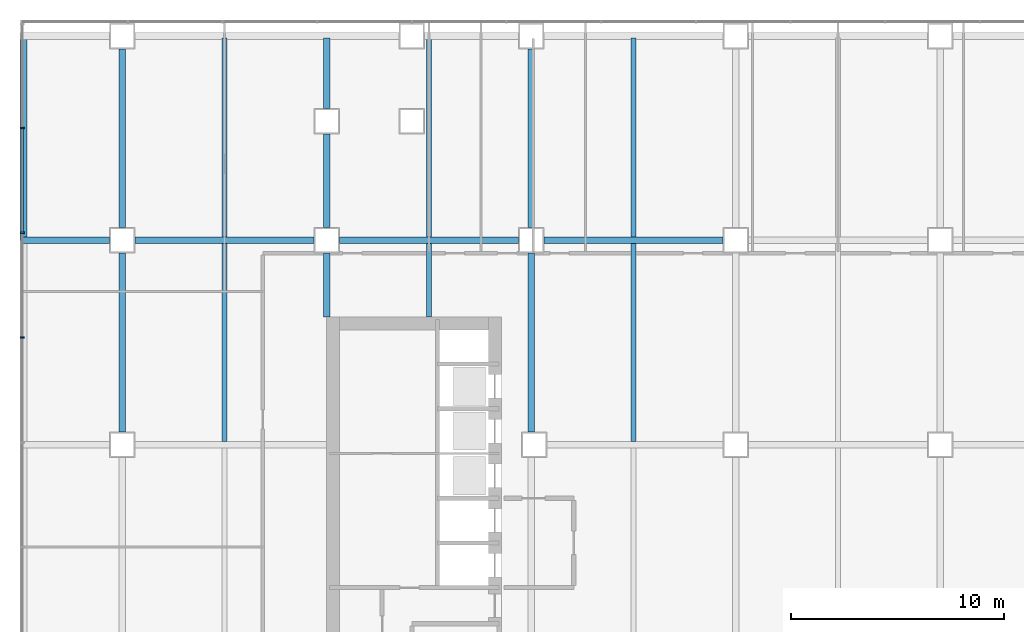
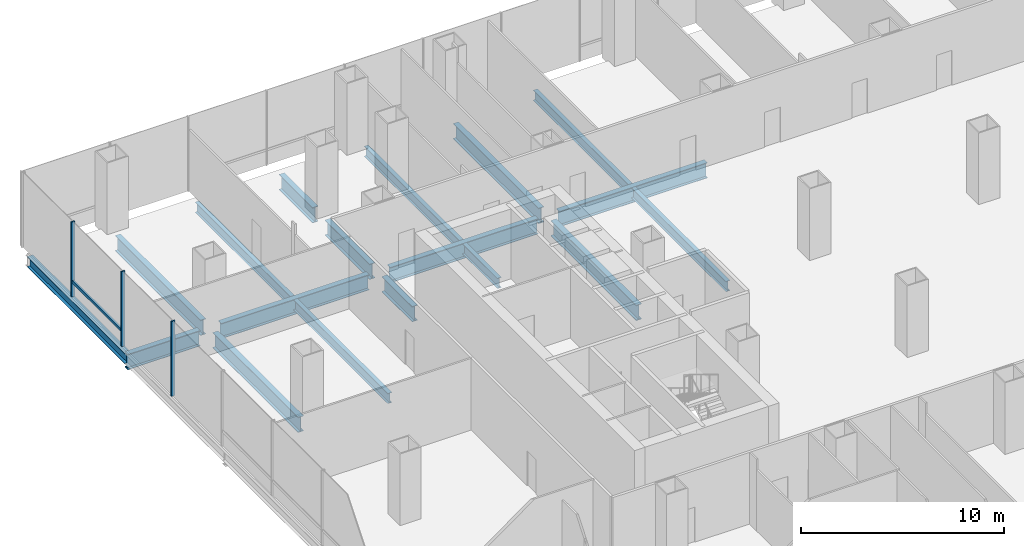
# One storey, part 8 of 23: 18 beams, 4 members, 1 element without a shape of its own.
"""IFC4 building model written with IfcOpenShell, lengths in metres."""

from ifc_helpers import new_model, si_unit, direction, frame, origin, origin_2d, place, context, subcontext, project, spatial, rectangle, i_section, extrude, material, material_profile, profile_set, type_object, element, aggregate, save


model = new_model("IFC4")

# Units and contexts
model_context = context("Model", 3, precision=1e-05, world=origin(), true_north=direction((0.0, 1.0)))
body_context = subcontext(model_context, "Body", "Model", "MODEL_VIEW")
ifc_project = project(units=[si_unit("LENGTHUNIT", "METRE"), si_unit("AREAUNIT", "SQUARE_METRE"), si_unit("VOLUMEUNIT", "CUBIC_METRE"), si_unit("PLANEANGLEUNIT", "RADIAN"), si_unit("MASSUNIT", "GRAM", prefix="KILO")], contexts=[model_context])

# Site, building, storey
site_placement = place(None, origin())
site = spatial("IfcSite", under=ifc_project, at=site_placement, CompositionType="ELEMENT")
building_placement = place(site_placement, origin())
building = spatial("IfcBuilding", under=site, at=building_placement, Name="Cobrizo Arcos Hotel Tower", CompositionType="ELEMENT")
storey_placement = place(building_placement, frame((0.0, 0.0, 20.0)))
storey = spatial("IfcBuildingStorey", under=building, at=storey_placement, Name="L03", CompositionType="ELEMENT", Elevation=20.0)

# Curtain wall, members
ifc_material_1 = material(Name="Aluminium 6063-T6 anodised bronze", Category="aluminium")
curtain_wall_type = type_object("IfcCurtainWallType", Name="CW-B podium glazing", PredefinedType="NOTDEFINED", material=ifc_material_1)
curtain_wall_placement = place(storey_placement, origin())
curtain_wall = element("IfcCurtainWall", 1, at=curtain_wall_placement, inside=storey, type_object=curtain_wall_type, Name="CW-B L03 W face", PredefinedType="NOTDEFINED")
ifc_material_profile_1 = material_profile(ifc_material_1, rectangle(XDim=0.199951171875, YDim=0.080078125, at=origin_2d()), Name="CW-B mullion 200x80")
ifc_profile_set_1 = profile_set([ifc_material_profile_1], Name="Aluminium 6063-T6 anodised bronze")
member_type_1 = type_object("IfcMemberType", Name="CW-B mullion 200x80", PredefinedType="MULLION", material=ifc_profile_set_1)
member_1_placement = place(storey_placement, frame((-38.300048828125, 19.679931640625, 0.0), z_axis=(0.0, 0.0, 1.0), x_axis=(-1.0, 0.0, 0.0)))
member_1 = element("IfcMember", 2, at=member_1_placement, type_object=member_type_1, Name="CW-B mullion 2", PredefinedType="MULLION", context=body_context, shape_type="SweptSolid", body=[
    extrude(rectangle(XDim=0.199951171875, YDim=0.080078125, at=origin_2d()), origin(), (0.0, 0.0, 1.0), 4.5),
])
member_2_placement = place(storey_placement, frame((-38.300048828125, 14.760009765625, 0.0), z_axis=(0.0, 0.0, 1.0), x_axis=(-1.0, 0.0, 0.0)))
member_2 = element("IfcMember", 3, at=member_2_placement, type_object=member_type_1, Name="CW-B mullion 3", PredefinedType="MULLION", context=body_context, shape_type="SweptSolid", body=[
    extrude(rectangle(XDim=0.199951171875, YDim=0.080078125, at=origin_2d()), origin(), (0.0, 0.0, 1.0), 4.5),
])
member_3_placement = place(storey_placement, frame((-38.300048828125, 9.840087890625, 0.0), z_axis=(0.0, 0.0, 1.0), x_axis=(-1.0, 0.0, 0.0)))
member_3 = element("IfcMember", 4, at=member_3_placement, type_object=member_type_1, Name="CW-B mullion 4", PredefinedType="MULLION", context=body_context, shape_type="SweptSolid", body=[
    extrude(rectangle(XDim=0.199951171875, YDim=0.080078125, at=origin_2d()), origin(), (0.0, 0.0, 1.0), 4.5),
])
ifc_material_profile_2 = material_profile(ifc_material_1, rectangle(XDim=0.1201171875, YDim=0.159912109375, at=origin_2d()), Name="CW-B transom 160x120")
ifc_profile_set_2 = profile_set([ifc_material_profile_2], Name="Aluminium 6063-T6 anodised bronze")
member_type_2 = type_object("IfcMemberType", Name="CW-B transom 160x120", PredefinedType="USERDEFINED", material=ifc_profile_set_2)
member_4_placement = place(storey_placement, frame((-38.300048828125, 19.639892578125, 0.89990234375), z_axis=(0.0, -1.0, 0.0), x_axis=(1.0, 0.0, 0.0)))
member_4 = element("IfcMember", 5, at=member_4_placement, type_object=member_type_2, Name="CW-B transom 189", ObjectType="TRANSOM", PredefinedType="USERDEFINED", context=body_context, shape_type="SweptSolid", body=[
    extrude(rectangle(XDim=0.1201171875, YDim=0.159912109375, at=origin_2d()), origin(), (0.0, 0.0, 1.0), 4.83984375),
])
aggregate(curtain_wall, [member_1, member_2, member_3, member_4])

# Beams
ifc_material_2 = material(Name="Steel ASTM A992 Grade 50", Category="steel")
ifc_material_profile_3 = material_profile(ifc_material_2, i_section(OverallWidth=0.32763671875, OverallDepth=0.622314453125, WebThickness=0.015380859375, FlangeThickness=0.0244140625, at=origin_2d()), Name="W24X131")
ifc_profile_set_3 = profile_set([ifc_material_profile_3], Name="Steel ASTM A992 Grade 50")
beam_type_1 = type_object("IfcBeamType", Name="W24X131 edge beam", PredefinedType="BEAM", material=ifc_profile_set_3)
beam_1_placement = place(storey_placement, frame((-38.236083984375, 24.0, -0.51123046875), z_axis=(0.0, -1.0, 0.0), x_axis=(1.0, 0.0, 0.0)))
element("IfcBeam", 6, at=beam_1_placement, inside=storey, type_object=beam_type_1, Name="Edge beam EB1, L03, no. 008", PredefinedType="BEAM", context=body_context, shape_type="SweptSolid", body=[
    extrude(i_section(OverallWidth=0.32763671875, OverallDepth=0.622314453125, WebThickness=0.015380859375, FlangeThickness=0.0244140625, at=origin_2d()), origin(), (0.0, 0.0, 1.0), 9.60009765625),
])
ifc_material_profile_4 = material_profile(ifc_material_2, i_section(OverallWidth=0.23046875, OverallDepth=0.6171875, WebThickness=0.01318359375, FlangeThickness=0.022216796875, at=origin_2d()), Name="W24X94")
ifc_profile_set_4 = profile_set([ifc_material_profile_4], Name="Steel ASTM A992 Grade 50")
beam_type_2 = type_object("IfcBeamType", Name="W24X94 podium joist", PredefinedType="JOIST", material=ifc_profile_set_4)
beam_2_placement = place(storey_placement, frame((-28.800048828125, 4.95361328125, -0.508544921875), z_axis=(0.0, 1.0, 0.0), x_axis=(-1.0, 0.0, 0.0)))
element("IfcBeam", 7, at=beam_2_placement, inside=storey, type_object=beam_type_2, Name="Podium joist PJ1, L03, no. 004", PredefinedType="JOIST", context=body_context, shape_type="SweptSolid", body=[
    extrude(i_section(OverallWidth=0.23046875, OverallDepth=0.6171875, WebThickness=0.01318359375, FlangeThickness=0.022216796875, at=origin_2d()), origin(), (0.0, 0.0, 1.0), 9.292724609375),
])
beam_3_placement = place(storey_placement, frame((-28.800048828125, 14.5537109375, -0.508544921875), z_axis=(0.0, 1.0, 0.0), x_axis=(-1.0, 0.0, 0.0)))
element("IfcBeam", 8, at=beam_3_placement, inside=storey, type_object=beam_type_2, Name="Podium joist PJ1, L03, no. 005", PredefinedType="JOIST", context=body_context, shape_type="SweptSolid", body=[
    extrude(i_section(OverallWidth=0.23046875, OverallDepth=0.6171875, WebThickness=0.01318359375, FlangeThickness=0.022216796875, at=origin_2d()), origin(), (0.0, 0.0, 1.0), 9.356201171875),
])
beam_4_placement = place(storey_placement, frame((-19.199951171875, 10.81005859375, -0.508544921875), z_axis=(0.0, 1.0, 0.0), x_axis=(-1.0, 0.0, 0.0)))
element("IfcBeam", 9, at=beam_4_placement, inside=storey, type_object=beam_type_2, Name="Podium joist PJ1, L03, no. 008", PredefinedType="JOIST", context=body_context, shape_type="SweptSolid", body=[
    extrude(i_section(OverallWidth=0.23046875, OverallDepth=0.6171875, WebThickness=0.01318359375, FlangeThickness=0.022216796875, at=origin_2d()), origin(), (0.0, 0.0, 1.0), 3.436279296875),
])
beam_5_placement = place(storey_placement, frame((-19.199951171875, 14.5537109375, -0.508544921875), z_axis=(0.0, 1.0, 0.0), x_axis=(-1.0, 0.0, 0.0)))
element("IfcBeam", 10, at=beam_5_placement, inside=storey, type_object=beam_type_2, Name="Podium joist PJ1, L03, no. 009", PredefinedType="JOIST", context=body_context, shape_type="SweptSolid", body=[
    extrude(i_section(OverallWidth=0.23046875, OverallDepth=0.6171875, WebThickness=0.01318359375, FlangeThickness=0.022216796875, at=origin_2d()), origin(), (0.0, 0.0, 1.0), 9.356201171875),
])
beam_6_placement = place(storey_placement, frame((-9.60009765625, 4.95361328125, -0.508544921875), z_axis=(0.0, 1.0, 0.0), x_axis=(-1.0, 0.0, 0.0)))
element("IfcBeam", 11, at=beam_6_placement, inside=storey, type_object=beam_type_2, Name="Podium joist PJ1, L03, no. 013", PredefinedType="JOIST", context=body_context, shape_type="SweptSolid", body=[
    extrude(i_section(OverallWidth=0.23046875, OverallDepth=0.6171875, WebThickness=0.01318359375, FlangeThickness=0.022216796875, at=origin_2d()), origin(), (0.0, 0.0, 1.0), 9.292724609375),
])
beam_7_placement = place(storey_placement, frame((-9.60009765625, 14.5537109375, -0.508544921875), z_axis=(0.0, 1.0, 0.0), x_axis=(-1.0, 0.0, 0.0)))
element("IfcBeam", 12, at=beam_7_placement, inside=storey, type_object=beam_type_2, Name="Podium joist PJ1, L03, no. 014", PredefinedType="JOIST", context=body_context, shape_type="SweptSolid", body=[
    extrude(i_section(OverallWidth=0.23046875, OverallDepth=0.6171875, WebThickness=0.01318359375, FlangeThickness=0.022216796875, at=origin_2d()), origin(), (0.0, 0.0, 1.0), 9.356201171875),
])
ifc_material_profile_5 = material_profile(ifc_material_2, i_section(OverallWidth=0.307373046875, OverallDepth=0.927001953125, WebThickness=0.01953125, FlangeThickness=0.031982421875, at=origin_2d()), Name="W36X194")
ifc_profile_set_5 = profile_set([ifc_material_profile_5], Name="Steel ASTM A992 Grade 50")
beam_type_3 = type_object("IfcBeamType", Name="W36X194 podium girder", PredefinedType="BEAM", material=ifc_profile_set_5)
beam_8_placement = place(storey_placement, frame((-38.31005859375, 14.39990234375, -0.66357421875), z_axis=(1.0, 0.0, 0.0), x_axis=(0.0, 1.0, 0.0)))
element("IfcBeam", 13, at=beam_8_placement, inside=storey, type_object=beam_type_3, Name="Podium girder PG1, L03, no. 026", PredefinedType="BEAM", context=body_context, shape_type="SweptSolid", body=[
    extrude(i_section(OverallWidth=0.307373046875, OverallDepth=0.927001953125, WebThickness=0.01953125, FlangeThickness=0.031982421875, at=origin_2d()), origin(), (0.0, 0.0, 1.0), 4.110107421875),
])
for number, where, z_axis, x_axis, name in (
    (14, (-33.0, 14.39990234375, -0.66357421875), (1.0, 0.0, 0.0), (0.0, 1.0, 0.0), "Podium girder PG1, L03, no. 027"),
    (15, (-23.39990234375, 14.39990234375, -0.66357421875), (1.0, 0.0, 0.0), (0.0, 1.0, 0.0), "Podium girder PG1, L03, no. 028"),
):
    element("IfcBeam", number, at=place(storey_placement, frame(where, z_axis=z_axis, x_axis=x_axis)), inside=storey, type_object=beam_type_3, Name=name, PredefinedType="BEAM", context=body_context, shape_type="SweptSolid", body=[
        extrude(i_section(OverallWidth=0.307373046875, OverallDepth=0.927001953125, WebThickness=0.01953125, FlangeThickness=0.031982421875, at=origin_2d()), origin(), (0.0, 0.0, 1.0), 8.39990234375),
    ])
for number, where, z_axis, x_axis, name in (
    (16, (-13.800048828125, 14.39990234375, -0.66357421875), (1.0, 0.0, 0.0), (0.0, 1.0, 0.0), "Podium girder PG1, L03, no. 029"),
    (17, (-33.60009765625, 5.39990234375, -0.66357421875), (0.0, 1.0, 0.0), (-1.0, 0.0, 0.0), "Podium girder PG1, L03, no. 038"),
):
    element("IfcBeam", number, at=place(storey_placement, frame(where, z_axis=z_axis, x_axis=x_axis)), inside=storey, type_object=beam_type_3, Name=name, PredefinedType="BEAM", context=body_context, shape_type="SweptSolid", body=[
        extrude(i_section(OverallWidth=0.307373046875, OverallDepth=0.927001953125, WebThickness=0.01953125, FlangeThickness=0.031982421875, at=origin_2d()), origin(), (0.0, 0.0, 1.0), 8.400146484375),
    ])
beam_9_placement = place(storey_placement, frame((-33.60009765625, 15.0, -0.66357421875), z_axis=(0.0, 1.0, 0.0), x_axis=(-1.0, 0.0, 0.0)))
element("IfcBeam", 18, at=beam_9_placement, inside=storey, type_object=beam_type_3, Name="Podium girder PG1, L03, no. 039", PredefinedType="BEAM", context=body_context, shape_type="SweptSolid", body=[
    extrude(i_section(OverallWidth=0.307373046875, OverallDepth=0.927001953125, WebThickness=0.01953125, FlangeThickness=0.031982421875, at=origin_2d()), origin(), (0.0, 0.0, 1.0), 8.39990234375),
])
beam_10_placement = place(storey_placement, frame((-24.0, 10.81005859375, -0.66357421875), z_axis=(0.0, 1.0, 0.0), x_axis=(-1.0, 0.0, 0.0)))
element("IfcBeam", 19, at=beam_10_placement, inside=storey, type_object=beam_type_3, Name="Podium girder PG1, L03, no. 043", PredefinedType="BEAM", context=body_context, shape_type="SweptSolid", body=[
    extrude(i_section(OverallWidth=0.307373046875, OverallDepth=0.927001953125, WebThickness=0.01953125, FlangeThickness=0.031982421875, at=origin_2d()), origin(), (0.0, 0.0, 1.0), 2.989990234375),
])
beam_11_placement = place(storey_placement, frame((-24.0, 15.0, -0.66357421875), z_axis=(0.0, 1.0, 0.0), x_axis=(-1.0, 0.0, 0.0)))
element("IfcBeam", 20, at=beam_11_placement, inside=storey, type_object=beam_type_3, Name="Podium girder PG1, L03, no. 044", PredefinedType="BEAM", context=body_context, shape_type="SweptSolid", body=[
    extrude(i_section(OverallWidth=0.307373046875, OverallDepth=0.927001953125, WebThickness=0.01953125, FlangeThickness=0.031982421875, at=origin_2d()), origin(), (0.0, 0.0, 1.0), 4.39990234375),
])
beam_12_placement = place(storey_placement, frame((-24.0, 20.60009765625, -0.66357421875), z_axis=(0.0, 1.0, 0.0), x_axis=(-1.0, 0.0, 0.0)))
element("IfcBeam", 21, at=beam_12_placement, inside=storey, type_object=beam_type_3, Name="Podium girder PG1, L03, no. 045", PredefinedType="BEAM", context=body_context, shape_type="SweptSolid", body=[
    extrude(i_section(OverallWidth=0.307373046875, OverallDepth=0.927001953125, WebThickness=0.01953125, FlangeThickness=0.031982421875, at=origin_2d()), origin(), (0.0, 0.0, 1.0), 3.309814453125),
])
beam_13_placement = place(storey_placement, frame((-14.39990234375, 5.39990234375, -0.66357421875), z_axis=(0.0, 1.0, 0.0), x_axis=(-1.0, 0.0, 0.0)))
element("IfcBeam", 22, at=beam_13_placement, inside=storey, type_object=beam_type_3, Name="Podium girder PG1, L03, no. 049", PredefinedType="BEAM", context=body_context, shape_type="SweptSolid", body=[
    extrude(i_section(OverallWidth=0.307373046875, OverallDepth=0.927001953125, WebThickness=0.01953125, FlangeThickness=0.031982421875, at=origin_2d()), origin(), (0.0, 0.0, 1.0), 8.400146484375),
])
beam_14_placement = place(storey_placement, frame((-14.39990234375, 15.0, -0.66357421875), z_axis=(0.0, 1.0, 0.0), x_axis=(-1.0, 0.0, 0.0)))
element("IfcBeam", 23, at=beam_14_placement, inside=storey, type_object=beam_type_3, Name="Podium girder PG1, L03, no. 050", PredefinedType="BEAM", context=body_context, shape_type="SweptSolid", body=[
    extrude(i_section(OverallWidth=0.307373046875, OverallDepth=0.927001953125, WebThickness=0.01953125, FlangeThickness=0.031982421875, at=origin_2d()), origin(), (0.0, 0.0, 1.0), 8.39990234375),
])

save(model, "model.ifc")
